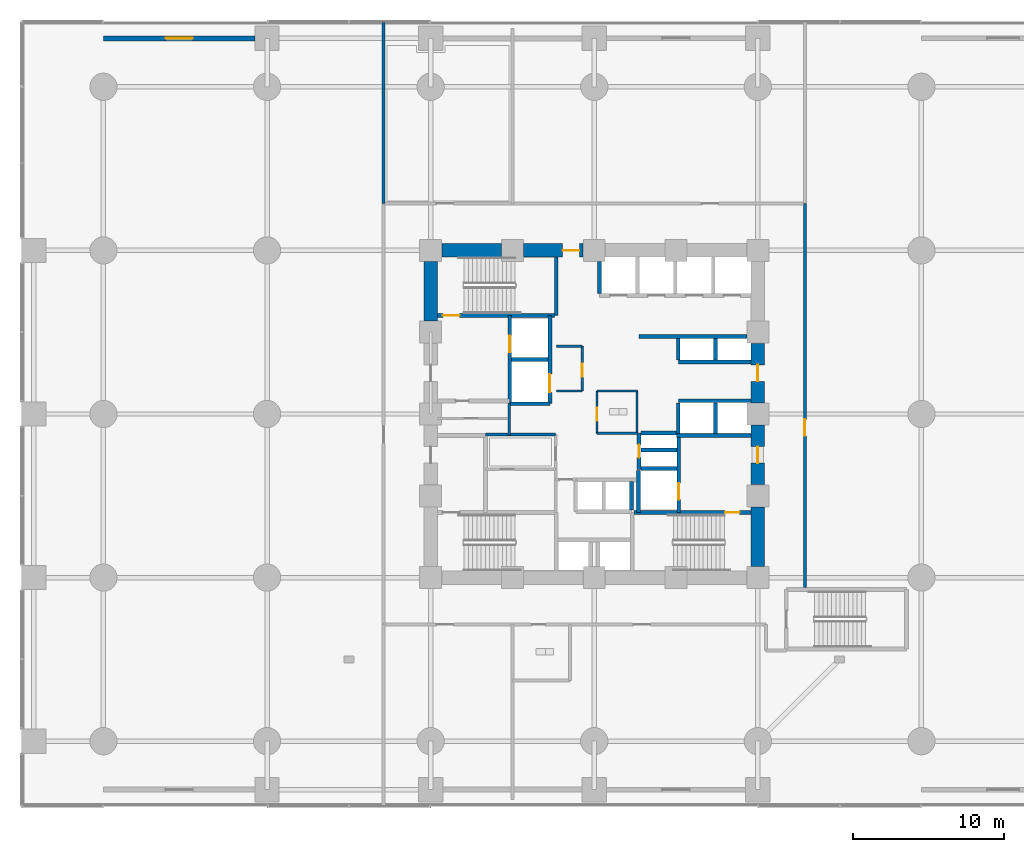
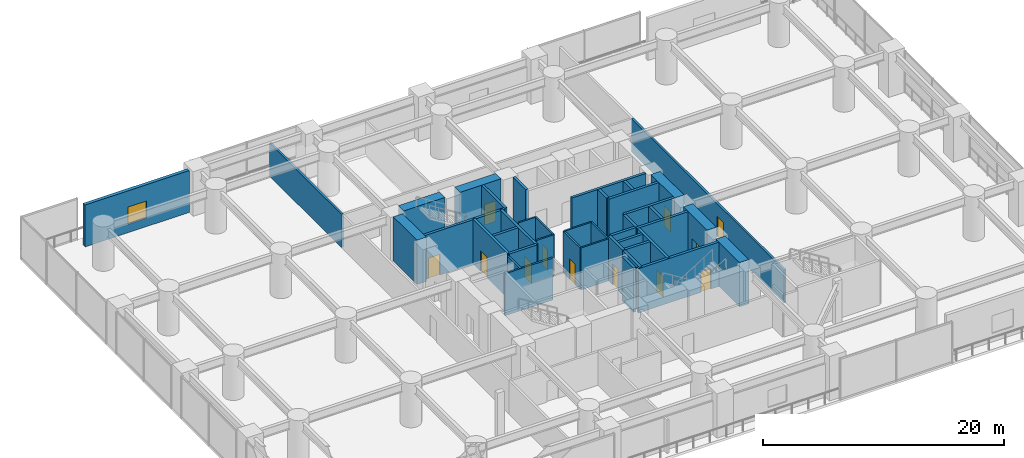
# One storey, part 28 of 36: 41 walls, 12 doors, 1 window, 13 openings.
"""IFC4 building model written with IfcOpenShell, lengths in metres."""

import ifcopenshell
import ifcopenshell.guid

model = None  # the IFC model being written
_history = None  # IfcOwnerHistory: only IFC2X3 demands one
_inside = {}  # id of a spatial element -> (the spatial element, [elements in it])
_under = {}  # id of a project, library or spatial element -> (it, [spatial elements below it])
_declared = {}  # id of a project -> (the project, [libraries it declares])
_typed = {}  # id of a type object -> (the type object, [elements of that type])
_made_of = {}  # id of a material, layer set ... -> (it, [elements and type objects made of it])


def new_model(schema):
    """Start an empty IFC model of exactly this schema.

    Asked for "IFC4X3", IfcOpenShell would pick the latest addendum, in which some entities
    have other attributes; the version numbers below select the first issue.
    IFC2X3 requires an IfcOwnerHistory on every rooted entity: one is made here for all.
    """
    global model, _history
    if schema == "IFC4X3":
        model = ifcopenshell.file(schema_version=(4, 3, 0, 0))
    else:
        model = ifcopenshell.file(schema=schema)
    _inside.clear()
    _under.clear()
    _declared.clear()
    _typed.clear()
    _made_of.clear()
    _history = None
    if model.schema == "IFC2X3":
        org = make("IfcOrganization", Name="unknown")
        user = make(
            "IfcPersonAndOrganization",
            ThePerson=make("IfcPerson", FamilyName="unknown"),
            TheOrganization=org,
        )
        app = make(
            "IfcApplication",
            ApplicationDeveloper=org,
            Version="unknown",
            ApplicationFullName="unknown",
            ApplicationIdentifier="unknown",
        )
        _history = make(
            "IfcOwnerHistory",
            OwningUser=user,
            OwningApplication=app,
            ChangeAction="ADDED",
            CreationDate=0,
        )
    return model


def make(cls, **values):
    """One entity of the class cls with the attributes given. An attribute that is None is left unset."""
    return model.create_entity(
        cls, **{name: value for name, value in values.items() if value is not None}
    )


def rooted(cls, **values):
    """An entity with a GlobalId (a new one), such as an element, a storey or a relation."""
    return make(cls, GlobalId=ifcopenshell.guid.new(), OwnerHistory=_history, **values)


def si_unit(unit_type, name, prefix=None):
    """IfcSIUnit, for example si_unit("LENGTHUNIT", "METRE", prefix="MILLI")."""
    return make("IfcSIUnit", UnitType=unit_type, Prefix=prefix, Name=name)


def assignment(units):
    """IfcUnitAssignment: the units of a project."""
    return None if units is None else make("IfcUnitAssignment", Units=units)


def point(xyz):
    """IfcCartesianPoint."""
    return None if xyz is None else make("IfcCartesianPoint", Coordinates=xyz)


def direction(xyz):
    """IfcDirection."""
    return None if xyz is None else make("IfcDirection", DirectionRatios=xyz)


def frame(location, z_axis=None, x_axis=None):
    """IfcAxis2Placement3D, a coordinate frame: its origin and axes. An axis left out is left unset."""
    return make(
        "IfcAxis2Placement3D",
        Location=point(location),
        Axis=direction(z_axis),
        RefDirection=direction(x_axis),
    )


def frame_2d(location, x_axis=None):
    """IfcAxis2Placement2D, a coordinate frame in the plane: its origin and x axis."""
    return make(
        "IfcAxis2Placement2D", Location=point(location), RefDirection=direction(x_axis)
    )


def origin():
    """The frame at (0, 0, 0) with its axes left unset."""
    return frame((0.0, 0.0, 0.0))


def place(relative_to, where):
    """IfcLocalPlacement: puts the frame where relative to a parent placement (None: the world)."""
    return make(
        "IfcLocalPlacement", PlacementRelTo=relative_to, RelativePlacement=where
    )


def context(
    kind, dimensions, precision=None, world=None, true_north=None, identifier=None
):
    """IfcGeometricRepresentationContext, for example the 3D "Model" context."""
    return make(
        "IfcGeometricRepresentationContext",
        ContextIdentifier=identifier,
        ContextType=kind,
        CoordinateSpaceDimension=dimensions,
        Precision=precision,
        WorldCoordinateSystem=world,
        TrueNorth=true_north,
    )


def subcontext(parent, identifier, kind, view, scale=None):
    """IfcGeometricRepresentationSubContext, for example "Body" below "Model"."""
    return make(
        "IfcGeometricRepresentationSubContext",
        ContextIdentifier=identifier,
        ContextType=kind,
        ParentContext=parent,
        TargetScale=scale,
        TargetView=view,
    )


def project(units=None, contexts=None):
    """IfcProject with its units and contexts."""
    return rooted(
        "IfcProject",
        Name="project",
        RepresentationContexts=contexts,
        UnitsInContext=assignment(units),
    )


def spatial(cls, under=None, at=None, **own):
    """A site, building, storey or space (cls), placed at a placement, below another one or the project."""
    s = rooted(cls, ObjectPlacement=at, **own)
    if under is not None:
        _under.setdefault(under.id(), (under, []))[1].append(s)
    return s


def profile(cls, at=None, kind="AREA", **sizes):
    """A parametric profile (cls). Its sizes go by their IFC names, for example OverallWidth=200.0."""
    return make(cls, ProfileType=kind, Position=at, **sizes)


def rectangle(**sizes):
    """IfcRectangleProfileDef."""
    return profile("IfcRectangleProfileDef", **sizes)


def extrude(swept, where, along, depth):
    """IfcExtrudedAreaSolid: the profile swept, set in the frame where, extruded along a direction by depth."""
    return make(
        "IfcExtrudedAreaSolid",
        SweptArea=swept,
        Position=where,
        ExtrudedDirection=direction(along),
        Depth=depth,
    )


def shape(context_of_items, identifier, shape_type, items):
    """IfcShapeRepresentation: the items that make up one representation, for example the "Body"."""
    return make(
        "IfcShapeRepresentation",
        ContextOfItems=context_of_items,
        RepresentationIdentifier=identifier,
        RepresentationType=shape_type,
        Items=items,
    )


def material(Name=None, Category=None):
    """IfcMaterial."""
    return make("IfcMaterial", Name=Name, Category=Category)


def layer(
    of_material, thickness, ventilated=None, Name=None, Category=None, Priority=None
):
    """IfcMaterialLayer: one layer of a wall or slab, of a material (None: an air gap)."""
    return make(
        "IfcMaterialLayer",
        Material=of_material,
        LayerThickness=thickness,
        IsVentilated=ventilated,
        Name=Name,
        Category=Category,
        Priority=Priority,
    )


def layer_set(layers, Name=None):
    """IfcMaterialLayerSet."""
    return make("IfcMaterialLayerSet", MaterialLayers=layers, LayerSetName=Name)


def made_of(thing, what):
    """Note that an element or type object is made of a material, layer set ...; save() writes the relation."""
    if what is not None:
        _made_of.setdefault(what.id(), (what, []))[1].append(thing)
    return thing


def type_object(cls, material=None, **own):
    """A type object (cls), such as IfcWallType, which elements share."""
    return made_of(rooted(cls, **own), material)


def element(
    cls,
    number,
    at=None,
    inside=None,
    cuts=None,
    type_object=None,
    material=None,
    context=None,
    identifier="Body",
    shape_type=None,
    held_by="IfcProductDefinitionShape",
    body=None,
    shapes=None,
    **own,
):
    """One element of the class cls, such as IfcWall. Its Tag is "e" and its number.

    at: its placement. inside: the storey or other place that contains it. cuts: it is an
    opening in that element (IfcRelVoidsElement). A single representation is given by context,
    identifier, shape_type and body (its items); several are given by shapes. held_by: the class
    of the entity that holds the representations. save() writes the other relations.
    """
    e = rooted(cls, Tag="e%d" % number, ObjectPlacement=at, **own)
    if body is not None:
        shapes = [shape(context, identifier, shape_type, body)]
    if shapes is not None:
        e.Representation = make(held_by, Representations=shapes)
    if inside is not None:
        _inside.setdefault(inside.id(), (inside, []))[1].append(e)
    if cuts is not None:
        rooted(
            "IfcRelVoidsElement", RelatingBuildingElement=cuts, RelatedOpeningElement=e
        )
    if type_object is not None:
        _typed.setdefault(type_object.id(), (type_object, []))[1].append(e)
    return made_of(e, material)


def fill(opening, filler):
    """IfcRelFillsElement: the door or window that sits in an opening."""
    return rooted(
        "IfcRelFillsElement",
        RelatingOpeningElement=opening,
        RelatedBuildingElement=filler,
    )


def aggregate(whole, parts):
    """IfcRelAggregates: a whole, such as a stair, and the parts it consists of."""
    return rooted("IfcRelAggregates", RelatingObject=whole, RelatedObjects=parts)


def save(model, path):
    """Write the relations noted so far, then the file.

    IfcRelAggregates (storeys below a building ...), IfcRelContainedInSpatialStructure (elements
    in a storey), IfcRelDefinesByType, IfcRelAssociatesMaterial and IfcRelDeclares: one each for
    every whole, place, type object, material and project.
    """
    for whole, parts in _under.values():
        aggregate(whole, parts)
    for where, things in _inside.values():
        rooted(
            "IfcRelContainedInSpatialStructure",
            RelatedElements=things,
            RelatingStructure=where,
        )
    for kind, things in _typed.values():
        rooted("IfcRelDefinesByType", RelatedObjects=things, RelatingType=kind)
    for what, things in _made_of.values():
        rooted("IfcRelAssociatesMaterial", RelatedObjects=things, RelatingMaterial=what)
    for by, libraries in _declared.values():
        rooted("IfcRelDeclares", RelatingContext=by, RelatedDefinitions=libraries)
    model.write(path)


model = new_model("IFC4")

# Units and contexts
model_context = context("Model", 3, precision=1e-05, world=origin(), true_north=direction((0.0, 1.0)))
body_context = subcontext(model_context, "Body", "Model", "MODEL_VIEW")
ifc_project = project(units=[si_unit("LENGTHUNIT", "METRE"), si_unit("AREAUNIT", "SQUARE_METRE"), si_unit("VOLUMEUNIT", "CUBIC_METRE"), si_unit("PLANEANGLEUNIT", "RADIAN"), si_unit("MASSUNIT", "GRAM", prefix="KILO")], contexts=[model_context])

# Site, building, storey
site_placement = place(None, origin())
site = spatial("IfcSite", under=ifc_project, at=site_placement, CompositionType="ELEMENT")
building_placement = place(site_placement, origin())
building = spatial("IfcBuilding", under=site, at=building_placement, Name="Surkhivell Harbour Commons", CompositionType="ELEMENT")
storey_placement = place(building_placement, frame((0.0, 0.0, 9.0)))
storey = spatial("IfcBuildingStorey", under=building, at=storey_placement, Name="L02", CompositionType="ELEMENT", Elevation=9.0)

# Walls
ifc_material_1 = material(Name="Concrete C80/95", Category="concrete")
ifc_layer_1 = layer(ifc_material_1, 0.89990234375)
ifc_layer_set_1 = layer_set([ifc_layer_1], Name="Concrete C80/95")
wall_type_1 = type_object("IfcWallType", Name="WAL-CORE-900", PredefinedType="SHEAR", material=ifc_layer_set_1)
for number, where, z_axis, x_axis, name in (
    (1, (-10.06494140625, 10.800048828125, 0.0), (0.0, 0.0, 1.0), (1.0, 0.0, 0.0), "L02 Core Shear Wall North 1"),
    (2, (10.800048828125, -10.06494140625, 0.0), (0.0, 0.0, 1.0), (0.0, 1.0, 0.0), "L02 Core Shear Wall East 1"),
):
    element("IfcWall", number, at=place(storey_placement, frame(where, z_axis=z_axis, x_axis=x_axis)), inside=storey, type_object=wall_type_1, Name=name, PredefinedType="SHEAR", context=body_context, shape_type="SweptSolid", body=[
        extrude(rectangle(XDim=3.929931640625, YDim=0.89990234375, at=frame_2d((1.96484375, 0.0))), origin(), (0.0, 0.0, 1.0), 4.5),
    ])

# Wall, opening, door
wall_1_placement = place(storey_placement, frame((-4.6650390625, 10.800048828125, 0.0), z_axis=(0.0, 0.0, 1.0), x_axis=(1.0, 0.0, 0.0)))
wall_1 = element("IfcWall", 3, at=wall_1_placement, inside=storey, type_object=wall_type_1, Name="L02 Core Shear Wall North 2", PredefinedType="SHEAR", context=body_context, shape_type="SweptSolid", body=[
    extrude(rectangle(XDim=3.929931640625, YDim=0.89990234375, at=frame_2d((1.96484375, 0.0))), origin(), (0.0, 0.0, 1.0), 4.5),
])
opening_1_placement = place(wall_1_placement, frame((2.580078125, 0.0, 0.0)))
opening_1 = element("IfcOpeningElement", 4, at=opening_1_placement, cuts=wall_1, Name="Opening ID-2", PredefinedType="OPENING", context=body_context, shape_type="SweptSolid", body=[
    extrude(rectangle(XDim=1.10009765625, YDim=2.10009765625, at=frame_2d((0.550048828125, 1.050048828125))), frame((0.0, 0.4599609375, 0.0), z_axis=(0.0, -1.0, 0.0), x_axis=(1.0, 0.0, 0.0)), (0.0, 0.0, 1.0), 0.919921875),
])
ifc_material_2 = material(Name="Hardwood-veneered fire-rated door leaf", Category="wood")
door_type_1 = type_object("IfcDoorType", Name="DOR-FD60-1100", OperationType="NOTDEFINED", PredefinedType="DOOR", material=ifc_material_2)
door_1_placement = place(opening_1_placement, origin())
door_1 = element("IfcDoor", 5, at=door_1_placement, inside=storey, type_object=door_type_1, Name="L02 Central Core Lift Hall North Corridor Door", OperationType="SINGLE_SWING_LEFT", OverallHeight=2.10009765625, OverallWidth=1.10009765625, PredefinedType="DOOR", context=body_context, shape_type="SweptSolid", body=[
    extrude(rectangle(XDim=1.10009765625, YDim=2.10009765625, at=frame_2d((0.550048828125, 1.050048828125))), frame((0.0, 0.02490234375, 0.0), z_axis=(0.0, -1.0, 0.0), x_axis=(1.0, 0.0, 0.0)), (0.0, 0.0, 1.0), 0.050048828125),
])
fill(opening_1, door_1)

wall_2_placement = place(storey_placement, frame((10.800048828125, -4.6650390625, 0.0), z_axis=(0.0, 0.0, 1.0), x_axis=(0.0, 1.0, 0.0)))
wall_2 = element("IfcWall", 6, at=wall_2_placement, inside=storey, type_object=wall_type_1, Name="L02 Core Shear Wall East 2", PredefinedType="SHEAR", context=body_context, shape_type="SweptSolid", body=[
    extrude(rectangle(XDim=3.929931640625, YDim=0.89990234375, at=frame_2d((1.96484375, 0.0))), origin(), (0.0, 0.0, 1.0), 4.5),
])
opening_2_placement = place(wall_2_placement, frame((1.4150390625, 0.0, 0.0)))
opening_2 = element("IfcOpeningElement", 7, at=opening_2_placement, cuts=wall_2, Name="Opening ID-1", PredefinedType="OPENING", context=body_context, shape_type="SweptSolid", body=[
    extrude(rectangle(XDim=1.10009765625, YDim=2.10009765625, at=frame_2d((0.550048828125, 1.050048828125))), frame((0.0, 0.4599609375, 0.0), z_axis=(0.0, -1.0, 0.0), x_axis=(1.0, 0.0, 0.0)), (0.0, 0.0, 1.0), 0.919921875),
])
door_type_2 = type_object("IfcDoorType", Name="DOR-FD120-1100", OperationType="NOTDEFINED", PredefinedType="DOOR", material=ifc_material_2)
door_2_placement = place(opening_2_placement, origin())
door_2 = element("IfcDoor", 8, at=door_2_placement, inside=storey, type_object=door_type_2, Name="L02 Firefighting Lobby 2 Corridor Door", OperationType="SINGLE_SWING_RIGHT", OverallHeight=2.10009765625, OverallWidth=1.10009765625, PredefinedType="DOOR", context=body_context, shape_type="SweptSolid", body=[
    extrude(rectangle(XDim=1.10009765625, YDim=2.10009765625, at=frame_2d((0.550048828125, 1.050048828125))), frame((0.0, 0.02490234375, 0.0), z_axis=(0.0, -1.0, 0.0), x_axis=(1.0, 0.0, 0.0)), (0.0, 0.0, 1.0), 0.050048828125),
])
fill(opening_2, door_2)

wall_3_placement = place(storey_placement, frame((10.800048828125, 0.735107421875, 0.0), z_axis=(0.0, 0.0, 1.0), x_axis=(0.0, 1.0, 0.0)))
wall_3 = element("IfcWall", 9, at=wall_3_placement, inside=storey, type_object=wall_type_1, Name="L02 Core Shear Wall East 3", PredefinedType="SHEAR", context=body_context, shape_type="SweptSolid", body=[
    extrude(rectangle(XDim=3.929931640625, YDim=0.89990234375, at=frame_2d((1.96484375, 0.0))), origin(), (0.0, 0.0, 1.0), 4.5),
])
opening_3_placement = place(wall_3_placement, frame((1.4150390625, 0.0, 0.0)))
opening_3 = element("IfcOpeningElement", 10, at=opening_3_placement, cuts=wall_3, Name="Opening ID-2", PredefinedType="OPENING", context=body_context, shape_type="SweptSolid", body=[
    extrude(rectangle(XDim=1.10009765625, YDim=2.10009765625, at=frame_2d((0.550048828125, 1.050048828125))), frame((0.0, 0.4599609375, 0.0), z_axis=(0.0, -1.0, 0.0), x_axis=(1.0, 0.0, 0.0)), (0.0, 0.0, 1.0), 0.919921875),
])
door_3_placement = place(opening_3_placement, origin())
door_3 = element("IfcDoor", 11, at=door_3_placement, inside=storey, type_object=door_type_1, Name="L02 Mid-Rise Lobby East Door", OperationType="SINGLE_SWING_LEFT", OverallHeight=2.10009765625, OverallWidth=1.10009765625, PredefinedType="DOOR", context=body_context, shape_type="SweptSolid", body=[
    extrude(rectangle(XDim=1.10009765625, YDim=2.10009765625, at=frame_2d((0.550048828125, 1.050048828125))), frame((0.0, 0.02490234375, 0.0), z_axis=(0.0, -1.0, 0.0), x_axis=(1.0, 0.0, 0.0)), (0.0, 0.0, 1.0), 0.050048828125),
])
fill(opening_3, door_3)

# Wall
wall_4_placement = place(storey_placement, frame((-10.800048828125, 6.135009765625, 0.0), z_axis=(0.0, 0.0, 1.0), x_axis=(0.0, 1.0, 0.0)))
element("IfcWall", 12, at=wall_4_placement, inside=storey, type_object=wall_type_1, Name="L02 Core Shear Wall West 4", PredefinedType="SHEAR", context=body_context, shape_type="SweptSolid", body=[
    extrude(rectangle(XDim=3.929931640625, YDim=0.89990234375, at=frame_2d((1.96484375, 0.0))), origin(), (0.0, 0.0, 1.0), 4.5),
])

# Wall, opening, window
ifc_material_3 = material(Name="Kiln-fired surkhi brick and precast concrete C45/55", Category="masonry")
ifc_layer_2 = layer(ifc_material_3, 0.320068359375)
ifc_layer_set_2 = layer_set([ifc_layer_2], Name="Kiln-fired surkhi brick and precast concrete C45/55")
wall_type_2 = type_object("IfcWallType", Name="WAL-EXT-BRK320", PredefinedType="STANDARD", material=ifc_layer_set_2)
wall_5_placement = place(storey_placement, frame((-32.39990234375, 24.800048828125, 0.0), z_axis=(0.0, 0.0, 1.0), x_axis=(1.0, 0.0, 0.0)))
wall_5 = element("IfcWall", 13, at=wall_5_placement, inside=storey, type_object=wall_type_2, Name="L02 Podium Brick Facade Wall N2", PredefinedType="STANDARD", context=body_context, shape_type="SweptSolid", body=[
    extrude(rectangle(XDim=10.001953125, YDim=0.320068359375, at=frame_2d((5.0009765625, 0.0))), origin(), (0.0, 0.0, 1.0), 4.25),
])
opening_4_placement = place(wall_5_placement, frame((4.10107421875, 0.0, 0.85009765625)))
opening_4 = element("IfcOpeningElement", 14, at=opening_4_placement, cuts=wall_5, Name="Opening WN-03", PredefinedType="OPENING", context=body_context, shape_type="SweptSolid", body=[
    extrude(rectangle(XDim=1.800048828125, YDim=1.75, at=frame_2d((0.89990234375, 0.875))), frame((0.0, 0.169921875, 0.0), z_axis=(0.0, -1.0, 0.0), x_axis=(1.0, 0.0, 0.0)), (0.0, 0.0, 1.0), 0.340087890625),
])
ifc_material_4 = material(Name="Thermal-break aluminium frame and double low-E glazing", Category="aluminium")
window_type = type_object("IfcWindowType", Name="WIN-POD-1800x1750", PartitioningType="DOUBLE_PANEL_VERTICAL", PredefinedType="WINDOW", material=ifc_material_4)
window_placement = place(opening_4_placement, origin())
window = element("IfcWindow", 15, at=window_placement, inside=storey, type_object=window_type, Name="L02 Podium Punched Window N2", OverallHeight=1.75, OverallWidth=1.800048828125, PartitioningType="SINGLE_PANEL", PredefinedType="WINDOW", context=body_context, shape_type="SweptSolid", body=[
    extrude(rectangle(XDim=1.800048828125, YDim=1.75, at=frame_2d((0.89990234375, 0.875))), frame((0.0, 0.030029296875, 0.0), z_axis=(0.0, -1.0, 0.0), x_axis=(1.0, 0.0, 0.0)), (0.0, 0.0, 1.0), 0.06005859375),
])
fill(opening_4, window)

# Walls
ifc_material_5 = material(Name="Twin-stud acoustic fireboard partition", Category="other")
ifc_layer_3 = layer(ifc_material_5, 0.14990234375)
ifc_layer_set_3 = layer_set([ifc_layer_3], Name="Twin-stud acoustic fireboard partition")
wall_type_3 = type_object("IfcWallType", Name="WAL-INT-150", PredefinedType="PARTITIONING", material=ifc_layer_set_3)
wall_6_placement = place(storey_placement, frame((2.820068359375, -1.25, 0.0), z_axis=(0.0, 0.0, 1.0), x_axis=(0.0, 1.0, 0.0)))
element("IfcWall", 16, at=wall_6_placement, inside=storey, type_object=wall_type_3, Name="L02 Core WC East Wall", PredefinedType="PARTITIONING", context=body_context, shape_type="SweptSolid", body=[
    extrude(rectangle(XDim=2.77001953125, YDim=0.14990234375, at=frame_2d((1.385009765625, 0.0))), origin(), (0.0, 0.0, 1.0), 4.25),
])
for number, where, z_axis, x_axis, name in (
    (17, (0.179931640625, 1.52001953125, 0.0), (0.0, 0.0, 1.0), (1.0, 0.0, 0.0), "L02 Core WC North Wall"),
    (18, (0.179931640625, -1.280029296875, 0.0), (0.0, 0.0, 1.0), (1.0, 0.0, 0.0), "L02 Core WC South Wall"),
):
    element("IfcWall", number, at=place(storey_placement, frame(where, z_axis=z_axis, x_axis=x_axis)), inside=storey, type_object=wall_type_3, Name=name, PredefinedType="PARTITIONING", context=body_context, shape_type="SweptSolid", body=[
        extrude(rectangle(XDim=2.670166015625, YDim=0.14990234375, at=frame_2d((1.3349609375, 0.0))), origin(), (0.0, 0.0, 1.0), 4.25),
    ])

# Wall, opening, door
wall_7_placement = place(storey_placement, frame((0.179931640625, -1.280029296875, 0.0), z_axis=(0.0, 0.0, 1.0), x_axis=(0.0, 1.0, 0.0)))
wall_7 = element("IfcWall", 19, at=wall_7_placement, inside=storey, type_object=wall_type_3, Name="L02 Core Accessible WC West Wall", PredefinedType="PARTITIONING", context=body_context, shape_type="SweptSolid", body=[
    extrude(rectangle(XDim=2.800048828125, YDim=0.14990234375, at=frame_2d((1.39990234375, 0.0))), origin(), (0.0, 0.0, 1.0), 4.25),
])
opening_5_placement = place(wall_7_placement, frame((0.85009765625, 0.0, 0.0)))
opening_5 = element("IfcOpeningElement", 20, at=opening_5_placement, cuts=wall_7, Name="Opening ID-6", PredefinedType="OPENING", context=body_context, shape_type="SweptSolid", body=[
    extrude(rectangle(XDim=0.85009765625, YDim=2.10009765625, at=frame_2d((0.425048828125, 1.050048828125))), frame((0.0, 0.0849609375, 0.0), z_axis=(0.0, -1.0, 0.0), x_axis=(1.0, 0.0, 0.0)), (0.0, 0.0, 1.0), 0.169921875),
])
door_type_3 = type_object("IfcDoorType", Name="DOR-FD30-850", OperationType="NOTDEFINED", PredefinedType="DOOR", material=ifc_material_2)
door_4_placement = place(opening_5_placement, origin())
door_4 = element("IfcDoor", 21, at=door_4_placement, inside=storey, type_object=door_type_3, Name="L02 Floor Accessible WC Door", OperationType="SINGLE_SWING_RIGHT", OverallHeight=2.10009765625, OverallWidth=0.85009765625, PredefinedType="DOOR", context=body_context, shape_type="SweptSolid", body=[
    extrude(rectangle(XDim=0.85009765625, YDim=2.10009765625, at=frame_2d((0.425048828125, 1.050048828125))), frame((0.0, 0.02490234375, 0.0), z_axis=(0.0, -1.0, 0.0), x_axis=(1.0, 0.0, 0.0)), (0.0, 0.0, 1.0), 0.050048828125),
])
fill(opening_5, door_4)

wall_8_placement = place(storey_placement, frame((-0.800048828125, 1.52001953125, 0.0), z_axis=(0.0, 0.0, 1.0), x_axis=(0.0, 1.0, 0.0)))
wall_8 = element("IfcWall", 22, at=wall_8_placement, inside=storey, type_object=wall_type_3, Name="L02 Core Seminar East Wall", PredefinedType="PARTITIONING", context=body_context, shape_type="SweptSolid", body=[
    extrude(rectangle(XDim=2.9599609375, YDim=0.14990234375, at=frame_2d((1.47998046875, 0.0))), origin(), (0.0, 0.0, 1.0), 4.25),
])
opening_6_placement = place(wall_8_placement, frame((0.949951171875, 0.0, 0.0)))
opening_6 = element("IfcOpeningElement", 23, at=opening_6_placement, cuts=wall_8, Name="Opening ID-6", PredefinedType="OPENING", context=body_context, shape_type="SweptSolid", body=[
    extrude(rectangle(XDim=0.85009765625, YDim=2.10009765625, at=frame_2d((0.425048828125, 1.050048828125))), frame((0.0, 0.0849609375, 0.0), z_axis=(0.0, -1.0, 0.0), x_axis=(1.0, 0.0, 0.0)), (0.0, 0.0, 1.0), 0.169921875),
])
door_5_placement = place(opening_6_placement, origin())
door_5 = element("IfcDoor", 24, at=door_5_placement, inside=storey, type_object=door_type_3, Name="L02 Central Seminar Door", OperationType="SINGLE_SWING_LEFT", OverallHeight=2.10009765625, OverallWidth=0.85009765625, PredefinedType="DOOR", context=body_context, shape_type="SweptSolid", body=[
    extrude(rectangle(XDim=0.85009765625, YDim=2.10009765625, at=frame_2d((0.425048828125, 1.050048828125))), frame((0.0, 0.02490234375, 0.0), z_axis=(0.0, -1.0, 0.0), x_axis=(1.0, 0.0, 0.0)), (0.0, 0.0, 1.0), 0.050048828125),
])
fill(opening_6, door_5)

# Walls
for number, where, z_axis, x_axis, name in (
    (25, (-2.47998046875, 4.47998046875, 0.0), (0.0, 0.0, 1.0), (1.0, 0.0, 0.0), "L02 Core Seminar North Wall"),
    (26, (-2.47998046875, 1.52001953125, 0.0), (0.0, 0.0, 1.0), (1.0, 0.0, 0.0), "L02 Core Seminar South Wall"),
):
    element("IfcWall", number, at=place(storey_placement, frame(where, z_axis=z_axis, x_axis=x_axis)), inside=storey, type_object=wall_type_3, Name=name, PredefinedType="PARTITIONING", context=body_context, shape_type="SweptSolid", body=[
        extrude(rectangle(XDim=1.679931640625, YDim=0.14990234375, at=frame_2d((0.83984375, 0.0))), origin(), (0.0, 0.0, 1.0), 4.25),
    ])
ifc_material_6 = material(Name="High-density acoustic blockwork fire partition", Category="masonry")
ifc_layer_4 = layer(ifc_material_6, 0.175048828125)
ifc_layer_set_4 = layer_set([ifc_layer_4], Name="High-density acoustic blockwork fire partition")
wall_type_4 = type_object("IfcWallType", Name="WAL-INT-175", PredefinedType="PARTITIONING", material=ifc_layer_set_4)
wall_9_placement = place(storey_placement, frame((-7.179931640625, -1.35009765625, 0.0), z_axis=(0.0, 0.0, 1.0), x_axis=(1.0, 0.0, 0.0)))
element("IfcWall", 27, at=wall_9_placement, inside=storey, type_object=wall_type_4, Name="L02 Core Service Bay North Wall", PredefinedType="PARTITIONING", context=body_context, shape_type="SweptSolid", body=[
    extrude(rectangle(XDim=4.6298828125, YDim=0.175048828125, at=frame_2d((2.31494140625, 0.0))), origin(), (0.0, 0.0, 1.0), 4.25),
])
wall_10_placement = place(storey_placement, frame((-5.6201171875, -1.419921875, 0.0), z_axis=(0.0, 0.0, 1.0), x_axis=(0.0, 1.0, 0.0)))
element("IfcWall", 28, at=wall_10_placement, inside=storey, type_object=wall_type_4, Name="L02 West Core Bay East Wall", PredefinedType="PARTITIONING", context=body_context, shape_type="SweptSolid", body=[
    extrude(rectangle(XDim=2.139892578125, YDim=0.175048828125, at=frame_2d((1.06982421875, 0.0))), origin(), (0.0, 0.0, 1.0), 4.25),
])

# Wall, opening, door
ifc_material_7 = material(Name="Autoclaved aerated concrete blockwork and fire plaster", Category="masonry")
ifc_layer_5 = layer(ifc_material_7, 0.199951171875)
ifc_layer_set_5 = layer_set([ifc_layer_5], Name="Autoclaved aerated concrete blockwork and fire plaster")
wall_type_5 = type_object("IfcWallType", Name="WAL-INT-200", PredefinedType="PARTITIONING", material=ifc_layer_set_5)
wall_11_placement = place(storey_placement, frame((13.89990234375, -11.449951171875, 0.0), z_axis=(0.0, 0.0, 1.0), x_axis=(0.0, 1.0, 0.0)))
wall_11 = element("IfcWall", 29, at=wall_11_placement, inside=storey, type_object=wall_type_5, Name="L02 Corridor East Wall", PredefinedType="PARTITIONING", context=body_context, shape_type="SweptSolid", body=[
    extrude(rectangle(XDim=25.349853515625, YDim=0.199951171875, at=frame_2d((12.6748046875, 0.0))), origin(), (0.0, 0.0, 1.0), 3.37890625),
])
opening_7_placement = place(wall_11_placement, frame((10.0, 0.0, 0.0)))
opening_7 = element("IfcOpeningElement", 30, at=opening_7_placement, cuts=wall_11, Name="Opening ID-2", PredefinedType="OPENING", context=body_context, shape_type="SweptSolid", body=[
    extrude(rectangle(XDim=1.10009765625, YDim=2.10009765625, at=frame_2d((0.550048828125, 1.050048828125))), frame((0.0, 0.10986328125, 0.0), z_axis=(0.0, -1.0, 0.0), x_axis=(1.0, 0.0, 0.0)), (0.0, 0.0, 1.0), 0.219970703125),
])
door_6_placement = place(opening_7_placement, origin())
door_6 = element("IfcDoor", 31, at=door_6_placement, inside=storey, type_object=door_type_1, Name="L02 L02 East Seminar Hall Door", OperationType="SINGLE_SWING_RIGHT", OverallHeight=2.10009765625, OverallWidth=1.10009765625, PredefinedType="DOOR", context=body_context, shape_type="SweptSolid", body=[
    extrude(rectangle(XDim=1.10009765625, YDim=2.10009765625, at=frame_2d((0.550048828125, 1.050048828125))), frame((0.0, 0.02490234375, 0.0), z_axis=(0.0, -1.0, 0.0), x_axis=(1.0, 0.0, 0.0)), (0.0, 0.0, 1.0), 0.050048828125),
])
fill(opening_7, door_6)

# Wall
wall_12_placement = place(storey_placement, frame((-13.89990234375, 13.89990234375, 0.0), z_axis=(0.0, 0.0, 1.0), x_axis=(0.0, 1.0, 0.0)))
element("IfcWall", 32, at=wall_12_placement, inside=storey, type_object=wall_type_5, Name="L02 Corner NW Divider", PredefinedType="PARTITIONING", context=body_context, shape_type="SweptSolid", body=[
    extrude(rectangle(XDim=11.960205078125, YDim=0.199951171875, at=frame_2d((5.97998046875, 0.0))), origin(), (0.0, 0.0, 1.0), 3.37890625),
])

# Wall, opening, door
ifc_material_8 = material(Name="Concrete C50/60", Category="concrete")
ifc_layer_6 = layer(ifc_material_8, 0.25)
ifc_layer_set_6 = layer_set([ifc_layer_6], Name="Concrete C50/60")
wall_type_6 = type_object("IfcWallType", Name="WAL-SHAFT-250", PredefinedType="SHEAR", material=ifc_layer_set_6)
wall_13_placement = place(storey_placement, frame((-5.580078125, 0.719970703125, 0.0), z_axis=(0.0, 0.0, 1.0), x_axis=(0.0, 1.0, 0.0)))
wall_13 = element("IfcWall", 33, at=wall_13_placement, inside=storey, type_object=wall_type_6, Name="L02 Firefighting Lobby 1 East Shaft Wall", PredefinedType="SHEAR", context=body_context, shape_type="SweptSolid", body=[
    extrude(rectangle(XDim=5.7900390625, YDim=0.25, at=frame_2d((2.89501953125, 0.0))), origin(), (0.0, 0.0, 1.0), 4.5),
])
opening_8_placement = place(wall_13_placement, frame((3.35009765625, 0.0, 0.0)))
opening_8 = element("IfcOpeningElement", 34, at=opening_8_placement, cuts=wall_13, Name="Opening LD-1", PredefinedType="OPENING", context=body_context, shape_type="SweptSolid", body=[
    extrude(rectangle(XDim=1.10009765625, YDim=2.10009765625, at=frame_2d((0.550048828125, 1.050048828125))), frame((0.0, 0.135009765625, 0.0), z_axis=(0.0, -1.0, 0.0), x_axis=(1.0, 0.0, 0.0)), (0.0, 0.0, 1.0), 0.27001953125),
])
ifc_material_9 = material(Name="Brushed stainless steel S355", Category="steel")
door_type_4 = type_object("IfcDoorType", Name="DOR-LD-1100", OperationType="SLIDING_TO_LEFT", PredefinedType="DOOR", material=ifc_material_9)
door_7_placement = place(opening_8_placement, origin())
door_7 = element("IfcDoor", 35, at=door_7_placement, inside=storey, type_object=door_type_4, Name="L02 Lift Landing Door LD-FFL1", OperationType="SLIDING_TO_LEFT", OverallHeight=2.10009765625, OverallWidth=1.10009765625, PredefinedType="DOOR", context=body_context, shape_type="SweptSolid", body=[
    extrude(rectangle(XDim=1.10009765625, YDim=2.10009765625, at=frame_2d((0.550048828125, 1.050048828125))), frame((0.0, 0.02490234375, 0.0), z_axis=(0.0, -1.0, 0.0), x_axis=(1.0, 0.0, 0.0)), (0.0, 0.0, 1.0), 0.050048828125),
])
fill(opening_8, door_7)

# Walls
wall_14_placement = place(storey_placement, frame((2.929931640625, -6.510009765625, 0.0), z_axis=(0.0, 0.0, 1.0), x_axis=(0.0, 1.0, 0.0)))
element("IfcWall", 36, at=wall_14_placement, inside=storey, type_object=wall_type_6, Name="L02 FFL2 West Shaft Wall", PredefinedType="SHEAR", context=body_context, shape_type="SweptSolid", body=[
    extrude(rectangle(XDim=2.7900390625, YDim=0.25, at=frame_2d((1.39501953125, 0.0))), origin(), (0.0, 0.0, 1.0), 4.5),
])
wall_15_placement = place(storey_placement, frame((5.43994140625, -1.419921875, 0.0), z_axis=(0.0, 0.0, 1.0), x_axis=(1.0, 0.0, 0.0)))
element("IfcWall", 37, at=wall_15_placement, inside=storey, type_object=wall_type_6, Name="L02 Firefighting Lobby 2 North Wall", PredefinedType="SHEAR", context=body_context, shape_type="SweptSolid", body=[
    extrude(rectangle(XDim=4.900146484375, YDim=0.25, at=frame_2d((2.4501953125, 0.0))), origin(), (0.0, 0.0, 1.0), 4.5),
])
wall_16_placement = place(storey_placement, frame((3.080078125, -3.60009765625, 0.0), z_axis=(0.0, 0.0, 1.0), x_axis=(1.0, 0.0, 0.0)))
element("IfcWall", 38, at=wall_16_placement, inside=storey, type_object=wall_type_6, Name="L02 FFL2 North Shaft Wall", PredefinedType="SHEAR", context=body_context, shape_type="SweptSolid", body=[
    extrude(rectangle(XDim=2.369873046875, YDim=0.25, at=frame_2d((1.18505859375, 0.0))), origin(), (0.0, 0.0, 1.0), 4.5),
])

# Wall, opening, door
wall_17_placement = place(storey_placement, frame((5.580078125, -6.510009765625, 0.0), z_axis=(0.0, 0.0, 1.0), x_axis=(0.0, 1.0, 0.0)))
wall_17 = element("IfcWall", 39, at=wall_17_placement, inside=storey, type_object=wall_type_6, Name="L02 Firefighting Lobby 2 West Shaft Wall", PredefinedType="SHEAR", context=body_context, shape_type="SweptSolid", body=[
    extrude(rectangle(XDim=5.090087890625, YDim=0.25, at=frame_2d((2.544921875, 0.0))), origin(), (0.0, 0.0, 1.0), 4.5),
])
opening_9_placement = place(wall_17_placement, frame((0.85009765625, 0.0, 0.0)))
opening_9 = element("IfcOpeningElement", 40, at=opening_9_placement, cuts=wall_17, Name="Opening LD-1", PredefinedType="OPENING", context=body_context, shape_type="SweptSolid", body=[
    extrude(rectangle(XDim=1.10009765625, YDim=2.10009765625, at=frame_2d((0.550048828125, 1.050048828125))), frame((0.0, 0.135009765625, 0.0), z_axis=(0.0, -1.0, 0.0), x_axis=(1.0, 0.0, 0.0)), (0.0, 0.0, 1.0), 0.27001953125),
])
door_8_placement = place(opening_9_placement, origin())
door_8 = element("IfcDoor", 41, at=door_8_placement, inside=storey, type_object=door_type_4, Name="L02 Lift Landing Door LD-FFL2", OperationType="SLIDING_TO_RIGHT", OverallHeight=2.10009765625, OverallWidth=1.10009765625, PredefinedType="DOOR", context=body_context, shape_type="SweptSolid", body=[
    extrude(rectangle(XDim=1.10009765625, YDim=2.10009765625, at=frame_2d((0.550048828125, 1.050048828125))), frame((0.0, 0.02490234375, 0.0), z_axis=(0.0, -1.0, 0.0), x_axis=(1.0, 0.0, 0.0)), (0.0, 0.0, 1.0), 0.050048828125),
])
fill(opening_9, door_8)

# Walls
wall_18_placement = place(storey_placement, frame((2.449951171875, -6.340087890625, 0.0), z_axis=(0.0, 0.0, 1.0), x_axis=(0.0, 1.0, 0.0)))
element("IfcWall", 42, at=wall_18_placement, inside=storey, type_object=wall_type_6, Name="L02 High-Rise Side Wall N", PredefinedType="SHEAR", context=body_context, shape_type="SweptSolid", body=[
    extrude(rectangle(XDim=1.880126953125, YDim=0.25, at=frame_2d((0.93994140625, 0.0))), origin(), (0.0, 0.0, 1.0), 4.5),
])
wall_19_placement = place(storey_placement, frame((0.35009765625, 7.93994140625, 0.0), z_axis=(0.0, 0.0, 1.0), x_axis=(0.0, 1.0, 0.0)))
element("IfcWall", 43, at=wall_19_placement, inside=storey, type_object=wall_type_6, Name="L02 Low-Rise Hoistway Wall", PredefinedType="SHEAR", context=body_context, shape_type="SweptSolid", body=[
    extrude(rectangle(XDim=2.135009765625, YDim=0.25, at=frame_2d((1.0673828125, 0.0))), origin(), (0.0, 0.0, 1.0), 4.5),
])
wall_20_placement = place(storey_placement, frame((2.949951171875, 5.1201171875, 0.0), z_axis=(0.0, 0.0, 1.0), x_axis=(1.0, 0.0, 0.0)))
element("IfcWall", 44, at=wall_20_placement, inside=storey, type_object=wall_type_6, Name="L02 Low-Rise Lobby South Wall", PredefinedType="SHEAR", context=body_context, shape_type="SweptSolid", body=[
    extrude(rectangle(XDim=7.125, YDim=0.25, at=frame_2d((3.5625, 0.0))), origin(), (0.0, 0.0, 1.0), 4.5),
])
for number, where, z_axis, x_axis, name in (
    (45, (5.550048828125, 3.550048828125, 0.0), (0.0, 0.0, 1.0), (0.0, 1.0, 0.0), "L02 Mid-Rise Shaft Side Wall N"),
    (46, (8.0, 3.550048828125, 0.0), (0.0, 0.0, 1.0), (0.0, 1.0, 0.0), "L02 Mid-Rise Shaft Side Wall N"),
):
    element("IfcWall", number, at=place(storey_placement, frame(where, z_axis=z_axis, x_axis=x_axis)), inside=storey, type_object=wall_type_6, Name=name, PredefinedType="SHEAR", context=body_context, shape_type="SweptSolid", body=[
        extrude(rectangle(XDim=1.449951171875, YDim=0.25, at=frame_2d((0.72509765625, 0.0))), origin(), (0.0, 0.0, 1.0), 4.5),
    ])
for number, where, z_axis, x_axis, name in (
    (47, (5.550048828125, -1.300048828125, 0.0), (0.0, 0.0, 1.0), (0.0, 1.0, 0.0), "L02 Mid-Rise Shaft Side Wall S"),
    (48, (8.0, -1.300048828125, 0.0), (0.0, 0.0, 1.0), (0.0, 1.0, 0.0), "L02 Mid-Rise Shaft Side Wall S"),
):
    element("IfcWall", number, at=place(storey_placement, frame(where, z_axis=z_axis, x_axis=x_axis)), inside=storey, type_object=wall_type_6, Name=name, PredefinedType="SHEAR", context=body_context, shape_type="SweptSolid", body=[
        extrude(rectangle(XDim=2.0400390625, YDim=0.25, at=frame_2d((1.02001953125, 0.0))), origin(), (0.0, 0.0, 1.0), 4.5),
    ])
for number, where, z_axis, x_axis, name in (
    (49, (5.550048828125, 3.429931640625, 0.0), (0.0, 0.0, 1.0), (1.0, 0.0, 0.0), "L02 Mid-Rise North Front Shaft Wall"),
    (50, (5.550048828125, 0.8701171875, 0.0), (0.0, 0.0, 1.0), (1.0, 0.0, 0.0), "L02 Mid-Rise South Front Shaft Wall"),
):
    element("IfcWall", number, at=place(storey_placement, frame(where, z_axis=z_axis, x_axis=x_axis)), inside=storey, type_object=wall_type_6, Name=name, PredefinedType="SHEAR", context=body_context, shape_type="SweptSolid", body=[
        extrude(rectangle(XDim=4.800048828125, YDim=0.25, at=frame_2d((2.39990234375, 0.0))), origin(), (0.0, 0.0, 1.0), 4.5),
    ])
for number, where, z_axis, x_axis, name in (
    (51, (3.080078125, -2.3798828125, 0.0), (0.0, 0.0, 1.0), (1.0, 0.0, 0.0), "L02 Riser Divider Wall"),
    (52, (3.080078125, -1.25, 0.0), (0.0, 0.0, 1.0), (1.0, 0.0, 0.0), "L02 Riser North Wall"),
):
    element("IfcWall", number, at=place(storey_placement, frame(where, z_axis=z_axis, x_axis=x_axis)), inside=storey, type_object=wall_type_6, Name=name, PredefinedType="SHEAR", context=body_context, shape_type="SweptSolid", body=[
        extrude(rectangle(XDim=2.369873046875, YDim=0.25, at=frame_2d((1.18505859375, 0.0))), origin(), (0.0, 0.0, 1.0), 4.5),
    ])

# Wall, opening, door
wall_21_placement = place(storey_placement, frame((2.949951171875, -3.64990234375, 0.0), z_axis=(0.0, 0.0, 1.0), x_axis=(0.0, 1.0, 0.0)))
wall_21 = element("IfcWall", 53, at=wall_21_placement, inside=storey, type_object=wall_type_6, Name="L02 Riser Shaft West Wall", PredefinedType="SHEAR", context=body_context, shape_type="SweptSolid", body=[
    extrude(rectangle(XDim=2.39990234375, YDim=0.25, at=frame_2d((1.199951171875, 0.0))), origin(), (0.0, 0.0, 1.0), 4.5),
])
opening_10_placement = place(wall_21_placement, frame((0.77490234375, 0.0, 0.0)))
opening_10 = element("IfcOpeningElement", 54, at=opening_10_placement, cuts=wall_21, Name="Opening ID-6", PredefinedType="OPENING", context=body_context, shape_type="SweptSolid", body=[
    extrude(rectangle(XDim=0.85009765625, YDim=2.10009765625, at=frame_2d((0.425048828125, 1.050048828125))), frame((0.0, 0.135009765625, 0.0), z_axis=(0.0, -1.0, 0.0), x_axis=(1.0, 0.0, 0.0)), (0.0, 0.0, 1.0), 0.27001953125),
])
door_9_placement = place(opening_10_placement, origin())
door_9 = element("IfcDoor", 55, at=door_9_placement, inside=storey, type_object=door_type_3, Name="L02 Electrical Riser Access Door", OperationType="SINGLE_SWING_LEFT", OverallHeight=2.10009765625, OverallWidth=0.85009765625, PredefinedType="DOOR", context=body_context, shape_type="SweptSolid", body=[
    extrude(rectangle(XDim=0.85009765625, YDim=2.10009765625, at=frame_2d((0.425048828125, 1.050048828125))), frame((0.0, 0.02490234375, 0.0), z_axis=(0.0, -1.0, 0.0), x_axis=(1.0, 0.0, 0.0)), (0.0, 0.0, 1.0), 0.050048828125),
])
fill(opening_10, door_9)

# Wall
wall_22_placement = place(storey_placement, frame((-2.510009765625, 6.510009765625, 0.0), z_axis=(0.0, 0.0, 1.0), x_axis=(0.0, 1.0, 0.0)))
element("IfcWall", 56, at=wall_22_placement, inside=storey, type_object=wall_type_6, Name="L02 Stair ST1 East Shear Wall", PredefinedType="SHEAR", context=body_context, shape_type="SweptSolid", body=[
    extrude(rectangle(XDim=3.840087890625, YDim=0.25, at=frame_2d((1.919921875, 0.0))), origin(), (0.0, 0.0, 1.0), 4.5),
])

# Wall, opening, door
wall_23_placement = place(storey_placement, frame((-10.340087890625, 6.510009765625, 0.0), z_axis=(0.0, 0.0, 1.0), x_axis=(1.0, 0.0, 0.0)))
wall_23 = element("IfcWall", 57, at=wall_23_placement, inside=storey, type_object=wall_type_6, Name="L02 Stair ST1 South Shear Wall", PredefinedType="SHEAR", context=body_context, shape_type="SweptSolid", body=[
    extrude(rectangle(XDim=7.7001953125, YDim=0.25, at=frame_2d((3.85009765625, 0.0))), origin(), (0.0, 0.0, 1.0), 4.5),
])
opening_11_placement = place(wall_23_placement, frame((0.35009765625, 0.0, 0.0)))
opening_11 = element("IfcOpeningElement", 58, at=opening_11_placement, cuts=wall_23, Name="Opening ID-2", PredefinedType="OPENING", context=body_context, shape_type="SweptSolid", body=[
    extrude(rectangle(XDim=1.10009765625, YDim=2.10009765625, at=frame_2d((0.550048828125, 1.050048828125))), frame((0.0, 0.135009765625, 0.0), z_axis=(0.0, -1.0, 0.0), x_axis=(1.0, 0.0, 0.0)), (0.0, 0.0, 1.0), 0.27001953125),
])
door_10_placement = place(opening_11_placement, origin())
door_10 = element("IfcDoor", 59, at=door_10_placement, inside=storey, type_object=door_type_1, Name="L02 Stair ST1 Exit Door", OperationType="SINGLE_SWING_LEFT", OverallHeight=2.10009765625, OverallWidth=1.10009765625, PredefinedType="DOOR", context=body_context, shape_type="SweptSolid", body=[
    extrude(rectangle(XDim=1.10009765625, YDim=2.10009765625, at=frame_2d((0.550048828125, 1.050048828125))), frame((0.0, 0.02490234375, 0.0), z_axis=(0.0, -1.0, 0.0), x_axis=(1.0, 0.0, 0.0)), (0.0, 0.0, 1.0), 0.050048828125),
])
fill(opening_11, door_10)

wall_24_placement = place(storey_placement, frame((2.639892578125, -6.510009765625, 0.0), z_axis=(0.0, 0.0, 1.0), x_axis=(1.0, 0.0, 0.0)))
wall_24 = element("IfcWall", 60, at=wall_24_placement, inside=storey, type_object=wall_type_6, Name="L02 Stair ST2 North Shear Wall", PredefinedType="SHEAR", context=body_context, shape_type="SweptSolid", body=[
    extrude(rectangle(XDim=7.7001953125, YDim=0.25, at=frame_2d((3.85009765625, 0.0))), origin(), (0.0, 0.0, 1.0), 4.5),
])
opening_12_placement = place(wall_24_placement, frame((6.0, 0.0, 0.0)))
opening_12 = element("IfcOpeningElement", 61, at=opening_12_placement, cuts=wall_24, Name="Opening ID-4", PredefinedType="OPENING", context=body_context, shape_type="SweptSolid", body=[
    extrude(rectangle(XDim=0.949951171875, YDim=2.10009765625, at=frame_2d((0.47509765625, 1.050048828125))), frame((0.0, 0.135009765625, 0.0), z_axis=(0.0, -1.0, 0.0), x_axis=(1.0, 0.0, 0.0)), (0.0, 0.0, 1.0), 0.27001953125),
])
door_type_5 = type_object("IfcDoorType", Name="DOR-FD60-950", OperationType="NOTDEFINED", PredefinedType="DOOR", material=ifc_material_2)
door_11_placement = place(opening_12_placement, origin())
door_11 = element("IfcDoor", 62, at=door_11_placement, inside=storey, type_object=door_type_5, Name="L02 Stair ST2 Exit Door", OperationType="SINGLE_SWING_RIGHT", OverallHeight=2.10009765625, OverallWidth=0.949951171875, PredefinedType="DOOR", context=body_context, shape_type="SweptSolid", body=[
    extrude(rectangle(XDim=0.949951171875, YDim=2.10009765625, at=frame_2d((0.47509765625, 1.050048828125))), frame((0.0, 0.02490234375, 0.0), z_axis=(0.0, -1.0, 0.0), x_axis=(1.0, 0.0, 0.0)), (0.0, 0.0, 1.0), 0.050048828125),
])
fill(opening_12, door_11)

wall_25_placement = place(storey_placement, frame((-2.929931640625, 0.679931640625, 0.0), z_axis=(0.0, 0.0, 1.0), x_axis=(0.0, 1.0, 0.0)))
wall_25 = element("IfcWall", 63, at=wall_25_placement, inside=storey, type_object=wall_type_6, Name="L02 Service and Fire Lift East Shaft Wall", PredefinedType="SHEAR", context=body_context, shape_type="SweptSolid", body=[
    extrude(rectangle(XDim=5.830078125, YDim=0.25, at=frame_2d((2.9150390625, 0.0))), origin(), (0.0, 0.0, 1.0), 4.5),
])
opening_13_placement = place(wall_25_placement, frame((0.75, 0.0, 0.0)))
opening_13 = element("IfcOpeningElement", 64, at=opening_13_placement, cuts=wall_25, Name="Opening LD-2", PredefinedType="OPENING", context=body_context, shape_type="SweptSolid", body=[
    extrude(rectangle(XDim=1.199951171875, YDim=2.10009765625, at=frame_2d((0.60009765625, 1.050048828125))), frame((0.0, 0.135009765625, 0.0), z_axis=(0.0, -1.0, 0.0), x_axis=(1.0, 0.0, 0.0)), (0.0, 0.0, 1.0), 0.27001953125),
])
door_type_6 = type_object("IfcDoorType", Name="DOR-LD-1200", OperationType="SLIDING_TO_LEFT", PredefinedType="DOOR", material=ifc_material_9)
door_12_placement = place(opening_13_placement, origin())
door_12 = element("IfcDoor", 65, at=door_12_placement, inside=storey, type_object=door_type_6, Name="L02 Lift Landing Door LD-SVL1", OperationType="SLIDING_TO_LEFT", OverallHeight=2.10009765625, OverallWidth=1.199951171875, PredefinedType="DOOR", context=body_context, shape_type="SweptSolid", body=[
    extrude(rectangle(XDim=1.199951171875, YDim=2.10009765625, at=frame_2d((0.60009765625, 1.050048828125))), frame((0.0, 0.02490234375, 0.0), z_axis=(0.0, -1.0, 0.0), x_axis=(1.0, 0.0, 0.0)), (0.0, 0.0, 1.0), 0.050048828125),
])
fill(opening_13, door_12)

# Walls
wall_26_placement = place(storey_placement, frame((-5.449951171875, 3.60009765625, 0.0), z_axis=(0.0, 0.0, 1.0), x_axis=(1.0, 0.0, 0.0)))
element("IfcWall", 66, at=wall_26_placement, inside=storey, type_object=wall_type_6, Name="L02 FFL1/SVL1 Shaft Divider", PredefinedType="SHEAR", context=body_context, shape_type="SweptSolid", body=[
    extrude(rectangle(XDim=2.389892578125, YDim=0.25, at=frame_2d((1.19482421875, 0.0))), origin(), (0.0, 0.0, 1.0), 4.5),
])
wall_27_placement = place(storey_placement, frame((-5.580078125, 0.679931640625, 0.0), z_axis=(0.0, 0.0, 1.0), x_axis=(1.0, 0.0, 0.0)))
element("IfcWall", 67, at=wall_27_placement, inside=storey, type_object=wall_type_6, Name="L02 SVL1 South Shaft Wall", PredefinedType="SHEAR", context=body_context, shape_type="SweptSolid", body=[
    extrude(rectangle(XDim=2.650146484375, YDim=0.25, at=frame_2d((1.3251953125, 0.0))), origin(), (0.0, 0.0, 1.0), 4.5),
])

save(model, "model.ifc")
